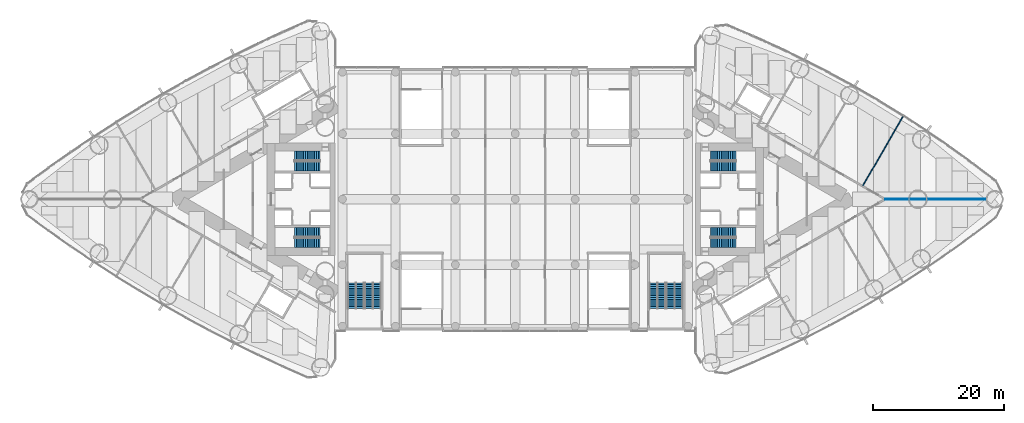
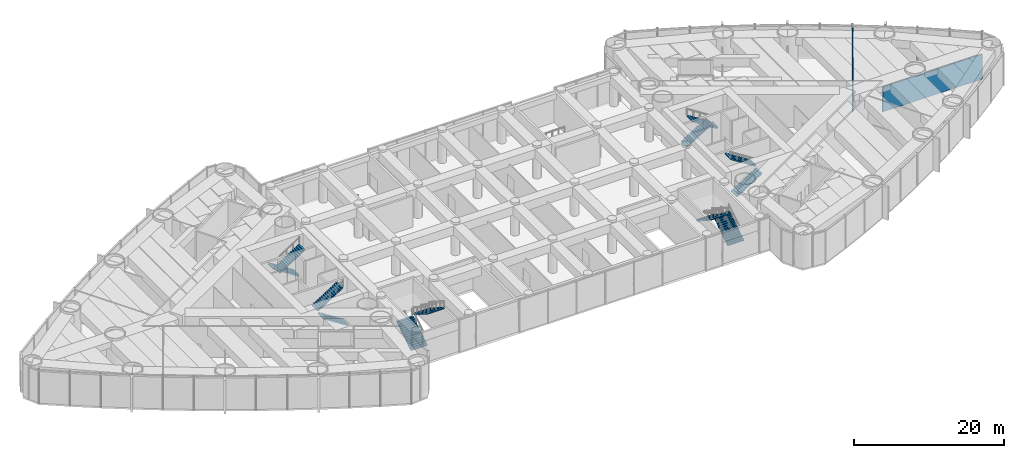
# One storey, part 19 of 20: 12 stair flights, 2 walls, 6 elements without a shape of their own.
"""IFC4 building model written with IfcOpenShell, lengths in metres."""

from ifc_helpers import new_model, si_unit, direction, frame, frame_2d, origin, place, context, subcontext, project, spatial, polyline, rectangle, outline, extrude, material, layer, layer_set, type_object, element, aggregate, save


model = new_model("IFC4")

# Units and contexts
model_context = context("Model", 3, precision=1e-05, world=origin(), true_north=direction((0.0, 1.0)))
body_context = subcontext(model_context, "Body", "Model", "MODEL_VIEW")
ifc_project = project(units=[si_unit("LENGTHUNIT", "METRE"), si_unit("AREAUNIT", "SQUARE_METRE"), si_unit("VOLUMEUNIT", "CUBIC_METRE"), si_unit("PLANEANGLEUNIT", "RADIAN"), si_unit("MASSUNIT", "GRAM", prefix="KILO")], contexts=[model_context])

# Site, building, storey
site_placement = place(None, origin())
site = spatial("IfcSite", under=ifc_project, at=site_placement, CompositionType="ELEMENT")
building_placement = place(site_placement, origin())
building = spatial("IfcBuilding", under=site, at=building_placement, Name="Lancet Gate Hotel", CompositionType="ELEMENT")
storey_placement = place(building_placement, frame((0.0, 0.0, 7.199951171875)))
storey = spatial("IfcBuildingStorey", under=building, at=storey_placement, Name="L01", CompositionType="ELEMENT", Elevation=7.199951171875)

# Walls
ifc_material_1 = material(Name="Gypsum board partition")
ifc_layer = layer(ifc_material_1, 0.14990234375)
ifc_layer_set = layer_set([ifc_layer], Name="Party wall 150")
wall_type = type_object("IfcWallType", Name="Party wall 150", PredefinedType="PARTITIONING", material=ifc_layer_set)
wall_1_placement = place(storey_placement, frame((53.11474609375, 2.0712890625, 0.0), z_axis=(0.0, 0.0, 1.0), x_axis=(0.500000975677, 0.866024840476, 0.0)))
element("IfcWall", 1, at=wall_1_placement, inside=storey, type_object=wall_type, Name="T2 party wall 150 L01", PredefinedType="PARTITIONING", context=body_context, shape_type="SweptSolid", body=[
    extrude(rectangle(XDim=12.19091796875, YDim=0.14990234375, at=frame_2d((6.095458984375, 0.0))), origin(), (0.0, 0.0, 1.0), 5.050048828125),
])
wall_2_placement = place(storey_placement, frame((56.502197265625, 0.0, 0.0), z_axis=(0.0, 0.0, 1.0), x_axis=(1.0, 0.0, 0.0)))
element("IfcWall", 2, at=wall_2_placement, inside=storey, type_object=wall_type, Name="T2 party wall 150 L01", PredefinedType="PARTITIONING", context=body_context, shape_type="SweptSolid", body=[
    extrude(rectangle(XDim=15.31689453125, YDim=0.14990234375, at=frame_2d((7.658447265625, 0.0))), origin(), (0.0, 0.0, 1.0), 4.050048828125),
])

# Stair, stair flights
ifc_material_2 = material(Name="Exit stair 30 risers 1500")
stair_type_1 = type_object("IfcStairType", Name="Exit stair 30 risers 1500", PredefinedType="HALF_TURN_STAIR", material=ifc_material_2)
stair_1_placement = place(storey_placement, origin())
stair_1 = element("IfcStair", 3, at=stair_1_placement, inside=storey, type_object=stair_type_1, Name="T1 stair 1 L01", PredefinedType="HALF_TURN_STAIR")
ifc_material_3 = material(Name="Stair flight 15 risers 180 rise 1500")
stair_flight_type_1 = type_object("IfcStairFlightType", Name="Stair flight 15 risers 180 rise 1500", PredefinedType="STRAIGHT", material=ifc_material_3)
stair_flight_1_placement = place(storey_placement, frame((-29.800048828125, 6.64990234375, 0.0), z_axis=(0.0, 0.0, 1.0), x_axis=(-1.0, 0.0, 0.0)))
stair_flight_1 = element("IfcStairFlight", 4, at=stair_flight_1_placement, type_object=stair_flight_type_1, Name="ST1 flight 1", NumberOfRisers=15, NumberOfTreads=14, PredefinedType="STRAIGHT", RiserHeight=0.18, TreadLength=0.28, context=body_context, shape_type="SweptSolid", body=[
    extrude(outline(polyline([(0.0, 0.0), (0.0, 0.179931640625), (0.280029296875, 0.179931640625), (0.280029296875, 0.360107421875), (0.56005859375, 0.360107421875), (0.56005859375, 0.5400390625), (0.840087890625, 0.5400390625), (0.840087890625, 0.719970703125), (1.1201171875, 0.719970703125), (1.1201171875, 0.89990234375), (1.39990234375, 0.89990234375), (1.39990234375, 1.080078125), (1.679931640625, 1.080078125), (1.679931640625, 1.260009765625), (1.9599609375, 1.260009765625), (1.9599609375, 1.43994140625), (2.239990234375, 1.43994140625), (2.239990234375, 1.6201171875), (2.52001953125, 1.6201171875), (2.52001953125, 1.800048828125), (2.800048828125, 1.800048828125), (2.800048828125, 1.97998046875), (3.080078125, 1.97998046875), (3.080078125, 2.159912109375), (3.360107421875, 2.159912109375), (3.360107421875, 2.340087890625), (3.639892578125, 2.340087890625), (3.639892578125, 2.52001953125), (3.919921875, 2.52001953125), (3.919921875, 2.699951171875), (3.919921875, 2.341796875), (0.277099609375, 0.0), (0.0, 0.0)])), frame((0.0, 0.75, 0.0), z_axis=(0.0, -1.0, 0.0), x_axis=(1.0, 0.0, 0.0)), (0.0, 0.0, 1.0), 1.5),
])
stair_flight_2_placement = place(storey_placement, frame((-33.719970703125, 5.050048828125, 2.699951171875), z_axis=(0.0, 0.0, 1.0), x_axis=(1.0, 0.0, 0.0)))
stair_flight_2 = element("IfcStairFlight", 5, at=stair_flight_2_placement, type_object=stair_flight_type_1, Name="ST1 flight 2", NumberOfRisers=15, NumberOfTreads=14, PredefinedType="STRAIGHT", RiserHeight=0.18, TreadLength=0.28, context=body_context, shape_type="SweptSolid", body=[
    extrude(outline(polyline([(0.0, 0.0), (0.0, 0.179931640625), (0.280029296875, 0.179931640625), (0.280029296875, 0.360107421875), (0.56005859375, 0.360107421875), (0.56005859375, 0.5400390625), (0.840087890625, 0.5400390625), (0.840087890625, 0.719970703125), (1.1201171875, 0.719970703125), (1.1201171875, 0.89990234375), (1.39990234375, 0.89990234375), (1.39990234375, 1.080078125), (1.679931640625, 1.080078125), (1.679931640625, 1.260009765625), (1.9599609375, 1.260009765625), (1.9599609375, 1.43994140625), (2.239990234375, 1.43994140625), (2.239990234375, 1.6201171875), (2.52001953125, 1.6201171875), (2.52001953125, 1.800048828125), (2.800048828125, 1.800048828125), (2.800048828125, 1.97998046875), (3.080078125, 1.97998046875), (3.080078125, 2.159912109375), (3.360107421875, 2.159912109375), (3.360107421875, 2.340087890625), (3.639892578125, 2.340087890625), (3.639892578125, 2.52001953125), (3.919921875, 2.52001953125), (3.919921875, 2.699951171875), (3.919921875, 2.341796875), (0.277099609375, 0.0), (0.0, 0.0)])), frame((0.0, 0.75, 0.0), z_axis=(0.0, -1.0, 0.0), x_axis=(1.0, 0.0, 0.0)), (0.0, 0.0, 1.0), 1.5),
])
aggregate(stair_1, [stair_flight_1, stair_flight_2])

stair_2_placement = place(storey_placement, origin())
stair_2 = element("IfcStair", 6, at=stair_2_placement, inside=storey, type_object=stair_type_1, Name="T1 stair 2 L01", PredefinedType="HALF_TURN_STAIR")
stair_flight_3_placement = place(storey_placement, frame((-29.800048828125, -6.64990234375, 0.0), z_axis=(0.0, 0.0, 1.0), x_axis=(-1.0, 0.0, 0.0)))
stair_flight_3 = element("IfcStairFlight", 7, at=stair_flight_3_placement, type_object=stair_flight_type_1, Name="ST2 flight 1", NumberOfRisers=15, NumberOfTreads=14, PredefinedType="STRAIGHT", RiserHeight=0.18, TreadLength=0.28, context=body_context, shape_type="SweptSolid", body=[
    extrude(outline(polyline([(0.0, 0.0), (0.0, 0.179931640625), (0.280029296875, 0.179931640625), (0.280029296875, 0.360107421875), (0.56005859375, 0.360107421875), (0.56005859375, 0.5400390625), (0.840087890625, 0.5400390625), (0.840087890625, 0.719970703125), (1.1201171875, 0.719970703125), (1.1201171875, 0.89990234375), (1.39990234375, 0.89990234375), (1.39990234375, 1.080078125), (1.679931640625, 1.080078125), (1.679931640625, 1.260009765625), (1.9599609375, 1.260009765625), (1.9599609375, 1.43994140625), (2.239990234375, 1.43994140625), (2.239990234375, 1.6201171875), (2.52001953125, 1.6201171875), (2.52001953125, 1.800048828125), (2.800048828125, 1.800048828125), (2.800048828125, 1.97998046875), (3.080078125, 1.97998046875), (3.080078125, 2.159912109375), (3.360107421875, 2.159912109375), (3.360107421875, 2.340087890625), (3.639892578125, 2.340087890625), (3.639892578125, 2.52001953125), (3.919921875, 2.52001953125), (3.919921875, 2.699951171875), (3.919921875, 2.341796875), (0.277099609375, 0.0), (0.0, 0.0)])), frame((0.0, 0.75, 0.0), z_axis=(0.0, -1.0, 0.0), x_axis=(1.0, 0.0, 0.0)), (0.0, 0.0, 1.0), 1.5),
])
stair_flight_4_placement = place(storey_placement, frame((-33.719970703125, -5.050048828125, 2.699951171875), z_axis=(0.0, 0.0, 1.0), x_axis=(1.0, 0.0, 0.0)))
stair_flight_4 = element("IfcStairFlight", 8, at=stair_flight_4_placement, type_object=stair_flight_type_1, Name="ST2 flight 2", NumberOfRisers=15, NumberOfTreads=14, PredefinedType="STRAIGHT", RiserHeight=0.18, TreadLength=0.28, context=body_context, shape_type="SweptSolid", body=[
    extrude(outline(polyline([(0.0, 0.0), (0.0, 0.179931640625), (0.280029296875, 0.179931640625), (0.280029296875, 0.360107421875), (0.56005859375, 0.360107421875), (0.56005859375, 0.5400390625), (0.840087890625, 0.5400390625), (0.840087890625, 0.719970703125), (1.1201171875, 0.719970703125), (1.1201171875, 0.89990234375), (1.39990234375, 0.89990234375), (1.39990234375, 1.080078125), (1.679931640625, 1.080078125), (1.679931640625, 1.260009765625), (1.9599609375, 1.260009765625), (1.9599609375, 1.43994140625), (2.239990234375, 1.43994140625), (2.239990234375, 1.6201171875), (2.52001953125, 1.6201171875), (2.52001953125, 1.800048828125), (2.800048828125, 1.800048828125), (2.800048828125, 1.97998046875), (3.080078125, 1.97998046875), (3.080078125, 2.159912109375), (3.360107421875, 2.159912109375), (3.360107421875, 2.340087890625), (3.639892578125, 2.340087890625), (3.639892578125, 2.52001953125), (3.919921875, 2.52001953125), (3.919921875, 2.699951171875), (3.919921875, 2.341796875), (0.277099609375, 0.0), (0.0, 0.0)])), frame((0.0, 0.75, 0.0), z_axis=(0.0, -1.0, 0.0), x_axis=(1.0, 0.0, 0.0)), (0.0, 0.0, 1.0), 1.5),
])
aggregate(stair_2, [stair_flight_3, stair_flight_4])

stair_3_placement = place(storey_placement, origin())
stair_3 = element("IfcStair", 9, at=stair_3_placement, inside=storey, type_object=stair_type_1, Name="T2 stair 1 L01", PredefinedType="HALF_TURN_STAIR")
stair_flight_5_placement = place(storey_placement, frame((29.800048828125, -6.64990234375, 0.0), z_axis=(0.0, 0.0, 1.0), x_axis=(1.0, 0.0, 0.0)))
stair_flight_5 = element("IfcStairFlight", 10, at=stair_flight_5_placement, type_object=stair_flight_type_1, Name="ST3 flight 1", NumberOfRisers=15, NumberOfTreads=14, PredefinedType="STRAIGHT", RiserHeight=0.18, TreadLength=0.28, context=body_context, shape_type="SweptSolid", body=[
    extrude(outline(polyline([(0.0, 0.0), (0.0, 0.179931640625), (0.280029296875, 0.179931640625), (0.280029296875, 0.360107421875), (0.56005859375, 0.360107421875), (0.56005859375, 0.5400390625), (0.840087890625, 0.5400390625), (0.840087890625, 0.719970703125), (1.1201171875, 0.719970703125), (1.1201171875, 0.89990234375), (1.39990234375, 0.89990234375), (1.39990234375, 1.080078125), (1.679931640625, 1.080078125), (1.679931640625, 1.260009765625), (1.9599609375, 1.260009765625), (1.9599609375, 1.43994140625), (2.239990234375, 1.43994140625), (2.239990234375, 1.6201171875), (2.52001953125, 1.6201171875), (2.52001953125, 1.800048828125), (2.800048828125, 1.800048828125), (2.800048828125, 1.97998046875), (3.080078125, 1.97998046875), (3.080078125, 2.159912109375), (3.360107421875, 2.159912109375), (3.360107421875, 2.340087890625), (3.639892578125, 2.340087890625), (3.639892578125, 2.52001953125), (3.919921875, 2.52001953125), (3.919921875, 2.699951171875), (3.919921875, 2.341796875), (0.277099609375, 0.0), (0.0, 0.0)])), frame((0.0, 0.75, 0.0), z_axis=(0.0, -1.0, 0.0), x_axis=(1.0, 0.0, 0.0)), (0.0, 0.0, 1.0), 1.5),
])
stair_flight_6_placement = place(storey_placement, frame((33.719970703125, -5.050048828125, 2.699951171875), z_axis=(0.0, 0.0, 1.0), x_axis=(-1.0, 0.0, 0.0)))
stair_flight_6 = element("IfcStairFlight", 11, at=stair_flight_6_placement, type_object=stair_flight_type_1, Name="ST3 flight 2", NumberOfRisers=15, NumberOfTreads=14, PredefinedType="STRAIGHT", RiserHeight=0.18, TreadLength=0.28, context=body_context, shape_type="SweptSolid", body=[
    extrude(outline(polyline([(0.0, 0.0), (0.0, 0.179931640625), (0.280029296875, 0.179931640625), (0.280029296875, 0.360107421875), (0.56005859375, 0.360107421875), (0.56005859375, 0.5400390625), (0.840087890625, 0.5400390625), (0.840087890625, 0.719970703125), (1.1201171875, 0.719970703125), (1.1201171875, 0.89990234375), (1.39990234375, 0.89990234375), (1.39990234375, 1.080078125), (1.679931640625, 1.080078125), (1.679931640625, 1.260009765625), (1.9599609375, 1.260009765625), (1.9599609375, 1.43994140625), (2.239990234375, 1.43994140625), (2.239990234375, 1.6201171875), (2.52001953125, 1.6201171875), (2.52001953125, 1.800048828125), (2.800048828125, 1.800048828125), (2.800048828125, 1.97998046875), (3.080078125, 1.97998046875), (3.080078125, 2.159912109375), (3.360107421875, 2.159912109375), (3.360107421875, 2.340087890625), (3.639892578125, 2.340087890625), (3.639892578125, 2.52001953125), (3.919921875, 2.52001953125), (3.919921875, 2.699951171875), (3.919921875, 2.341796875), (0.277099609375, 0.0), (0.0, 0.0)])), frame((0.0, 0.75, 0.0), z_axis=(0.0, -1.0, 0.0), x_axis=(1.0, 0.0, 0.0)), (0.0, 0.0, 1.0), 1.5),
])
aggregate(stair_3, [stair_flight_5, stair_flight_6])

stair_4_placement = place(storey_placement, origin())
stair_4 = element("IfcStair", 12, at=stair_4_placement, inside=storey, type_object=stair_type_1, Name="T2 stair 2 L01", PredefinedType="HALF_TURN_STAIR")
stair_flight_7_placement = place(storey_placement, frame((29.800048828125, 6.64990234375, 0.0), z_axis=(0.0, 0.0, 1.0), x_axis=(1.0, 0.0, 0.0)))
stair_flight_7 = element("IfcStairFlight", 13, at=stair_flight_7_placement, type_object=stair_flight_type_1, Name="ST4 flight 1", NumberOfRisers=15, NumberOfTreads=14, PredefinedType="STRAIGHT", RiserHeight=0.18, TreadLength=0.28, context=body_context, shape_type="SweptSolid", body=[
    extrude(outline(polyline([(0.0, 0.0), (0.0, 0.179931640625), (0.280029296875, 0.179931640625), (0.280029296875, 0.360107421875), (0.56005859375, 0.360107421875), (0.56005859375, 0.5400390625), (0.840087890625, 0.5400390625), (0.840087890625, 0.719970703125), (1.1201171875, 0.719970703125), (1.1201171875, 0.89990234375), (1.39990234375, 0.89990234375), (1.39990234375, 1.080078125), (1.679931640625, 1.080078125), (1.679931640625, 1.260009765625), (1.9599609375, 1.260009765625), (1.9599609375, 1.43994140625), (2.239990234375, 1.43994140625), (2.239990234375, 1.6201171875), (2.52001953125, 1.6201171875), (2.52001953125, 1.800048828125), (2.800048828125, 1.800048828125), (2.800048828125, 1.97998046875), (3.080078125, 1.97998046875), (3.080078125, 2.159912109375), (3.360107421875, 2.159912109375), (3.360107421875, 2.340087890625), (3.639892578125, 2.340087890625), (3.639892578125, 2.52001953125), (3.919921875, 2.52001953125), (3.919921875, 2.699951171875), (3.919921875, 2.341796875), (0.277099609375, 0.0), (0.0, 0.0)])), frame((0.0, 0.75, 0.0), z_axis=(0.0, -1.0, 0.0), x_axis=(1.0, 0.0, 0.0)), (0.0, 0.0, 1.0), 1.5),
])
stair_flight_8_placement = place(storey_placement, frame((33.719970703125, 5.050048828125, 2.699951171875), z_axis=(0.0, 0.0, 1.0), x_axis=(-1.0, 0.0, 0.0)))
stair_flight_8 = element("IfcStairFlight", 14, at=stair_flight_8_placement, type_object=stair_flight_type_1, Name="ST4 flight 2", NumberOfRisers=15, NumberOfTreads=14, PredefinedType="STRAIGHT", RiserHeight=0.18, TreadLength=0.28, context=body_context, shape_type="SweptSolid", body=[
    extrude(outline(polyline([(0.0, 0.0), (0.0, 0.179931640625), (0.280029296875, 0.179931640625), (0.280029296875, 0.360107421875), (0.56005859375, 0.360107421875), (0.56005859375, 0.5400390625), (0.840087890625, 0.5400390625), (0.840087890625, 0.719970703125), (1.1201171875, 0.719970703125), (1.1201171875, 0.89990234375), (1.39990234375, 0.89990234375), (1.39990234375, 1.080078125), (1.679931640625, 1.080078125), (1.679931640625, 1.260009765625), (1.9599609375, 1.260009765625), (1.9599609375, 1.43994140625), (2.239990234375, 1.43994140625), (2.239990234375, 1.6201171875), (2.52001953125, 1.6201171875), (2.52001953125, 1.800048828125), (2.800048828125, 1.800048828125), (2.800048828125, 1.97998046875), (3.080078125, 1.97998046875), (3.080078125, 2.159912109375), (3.360107421875, 2.159912109375), (3.360107421875, 2.340087890625), (3.639892578125, 2.340087890625), (3.639892578125, 2.52001953125), (3.919921875, 2.52001953125), (3.919921875, 2.699951171875), (3.919921875, 2.341796875), (0.277099609375, 0.0), (0.0, 0.0)])), frame((0.0, 0.75, 0.0), z_axis=(0.0, -1.0, 0.0), x_axis=(1.0, 0.0, 0.0)), (0.0, 0.0, 1.0), 1.5),
])
aggregate(stair_4, [stair_flight_7, stair_flight_8])

ifc_material_4 = material(Name="Podium stair 30 risers 2500")
stair_type_2 = type_object("IfcStairType", Name="Podium stair 30 risers 2500", PredefinedType="HALF_TURN_STAIR", material=ifc_material_4)
stair_5_placement = place(storey_placement, origin())
stair_5 = element("IfcStair", 15, at=stair_5_placement, inside=storey, type_object=stair_type_2, Name="Podium stair PS5 L01", PredefinedType="HALF_TURN_STAIR")
ifc_material_5 = material(Name="Stair flight 15 risers 180 rise 2500")
stair_flight_type_2 = type_object("IfcStairFlightType", Name="Stair flight 15 risers 180 rise 2500", PredefinedType="STRAIGHT", material=ifc_material_5)
stair_flight_9_placement = place(storey_placement, frame((24.35009765625, -16.699951171875, 0.0), z_axis=(0.0, 0.0, 1.0), x_axis=(0.0, 1.0, 0.0)))
stair_flight_9 = element("IfcStairFlight", 16, at=stair_flight_9_placement, type_object=stair_flight_type_2, Name="PS5 flight 1", NumberOfRisers=15, NumberOfTreads=14, PredefinedType="STRAIGHT", RiserHeight=0.18, TreadLength=0.28, context=body_context, shape_type="SweptSolid", body=[
    extrude(outline(polyline([(0.0, 0.0), (0.0, 0.179931640625), (0.280029296875, 0.179931640625), (0.280029296875, 0.360107421875), (0.56005859375, 0.360107421875), (0.56005859375, 0.5400390625), (0.840087890625, 0.5400390625), (0.840087890625, 0.719970703125), (1.1201171875, 0.719970703125), (1.1201171875, 0.89990234375), (1.39990234375, 0.89990234375), (1.39990234375, 1.080078125), (1.679931640625, 1.080078125), (1.679931640625, 1.260009765625), (1.9599609375, 1.260009765625), (1.9599609375, 1.43994140625), (2.239990234375, 1.43994140625), (2.239990234375, 1.6201171875), (2.52001953125, 1.6201171875), (2.52001953125, 1.800048828125), (2.800048828125, 1.800048828125), (2.800048828125, 1.97998046875), (3.080078125, 1.97998046875), (3.080078125, 2.159912109375), (3.360107421875, 2.159912109375), (3.360107421875, 2.340087890625), (3.639892578125, 2.340087890625), (3.639892578125, 2.52001953125), (3.919921875, 2.52001953125), (3.919921875, 2.699951171875), (3.919921875, 2.341796875), (0.277099609375, 0.0), (0.0, 0.0)])), frame((0.0, 1.25, 0.0), z_axis=(0.0, -1.0, 0.0), x_axis=(1.0, 0.0, 0.0)), (0.0, 0.0, 1.0), 2.5),
])
stair_flight_10_placement = place(storey_placement, frame((21.75, -12.780029296875, 2.699951171875), z_axis=(0.0, 0.0, 1.0), x_axis=(0.0, -1.0, 0.0)))
stair_flight_10 = element("IfcStairFlight", 17, at=stair_flight_10_placement, type_object=stair_flight_type_2, Name="PS5 flight 2", NumberOfRisers=15, NumberOfTreads=14, PredefinedType="STRAIGHT", RiserHeight=0.18, TreadLength=0.28, context=body_context, shape_type="SweptSolid", body=[
    extrude(outline(polyline([(0.0, 0.0), (0.0, 0.179931640625), (0.280029296875, 0.179931640625), (0.280029296875, 0.360107421875), (0.56005859375, 0.360107421875), (0.56005859375, 0.5400390625), (0.840087890625, 0.5400390625), (0.840087890625, 0.719970703125), (1.1201171875, 0.719970703125), (1.1201171875, 0.89990234375), (1.39990234375, 0.89990234375), (1.39990234375, 1.080078125), (1.679931640625, 1.080078125), (1.679931640625, 1.260009765625), (1.9599609375, 1.260009765625), (1.9599609375, 1.43994140625), (2.239990234375, 1.43994140625), (2.239990234375, 1.6201171875), (2.52001953125, 1.6201171875), (2.52001953125, 1.800048828125), (2.800048828125, 1.800048828125), (2.800048828125, 1.97998046875), (3.080078125, 1.97998046875), (3.080078125, 2.159912109375), (3.360107421875, 2.159912109375), (3.360107421875, 2.340087890625), (3.639892578125, 2.340087890625), (3.639892578125, 2.52001953125), (3.919921875, 2.52001953125), (3.919921875, 2.699951171875), (3.919921875, 2.341796875), (0.277099609375, 0.0), (0.0, 0.0)])), frame((0.0, 1.25, 0.0), z_axis=(0.0, -1.0, 0.0), x_axis=(1.0, 0.0, 0.0)), (0.0, 0.0, 1.0), 2.5),
])
aggregate(stair_5, [stair_flight_9, stair_flight_10])

stair_6_placement = place(storey_placement, origin())
stair_6 = element("IfcStair", 18, at=stair_6_placement, inside=storey, type_object=stair_type_2, Name="Podium stair PS6 L01", PredefinedType="HALF_TURN_STAIR")
stair_flight_11_placement = place(storey_placement, frame((-24.35009765625, -16.699951171875, 0.0), z_axis=(0.0, 0.0, 1.0), x_axis=(0.0, 1.0, 0.0)))
stair_flight_11 = element("IfcStairFlight", 19, at=stair_flight_11_placement, type_object=stair_flight_type_2, Name="PS6 flight 1", NumberOfRisers=15, NumberOfTreads=14, PredefinedType="STRAIGHT", RiserHeight=0.18, TreadLength=0.28, context=body_context, shape_type="SweptSolid", body=[
    extrude(outline(polyline([(0.0, 0.0), (0.0, 0.179931640625), (0.280029296875, 0.179931640625), (0.280029296875, 0.360107421875), (0.56005859375, 0.360107421875), (0.56005859375, 0.5400390625), (0.840087890625, 0.5400390625), (0.840087890625, 0.719970703125), (1.1201171875, 0.719970703125), (1.1201171875, 0.89990234375), (1.39990234375, 0.89990234375), (1.39990234375, 1.080078125), (1.679931640625, 1.080078125), (1.679931640625, 1.260009765625), (1.9599609375, 1.260009765625), (1.9599609375, 1.43994140625), (2.239990234375, 1.43994140625), (2.239990234375, 1.6201171875), (2.52001953125, 1.6201171875), (2.52001953125, 1.800048828125), (2.800048828125, 1.800048828125), (2.800048828125, 1.97998046875), (3.080078125, 1.97998046875), (3.080078125, 2.159912109375), (3.360107421875, 2.159912109375), (3.360107421875, 2.340087890625), (3.639892578125, 2.340087890625), (3.639892578125, 2.52001953125), (3.919921875, 2.52001953125), (3.919921875, 2.699951171875), (3.919921875, 2.341796875), (0.277099609375, 0.0), (0.0, 0.0)])), frame((0.0, 1.25, 0.0), z_axis=(0.0, -1.0, 0.0), x_axis=(1.0, 0.0, 0.0)), (0.0, 0.0, 1.0), 2.5),
])
stair_flight_12_placement = place(storey_placement, frame((-21.75, -12.780029296875, 2.699951171875), z_axis=(0.0, 0.0, 1.0), x_axis=(0.0, -1.0, 0.0)))
stair_flight_12 = element("IfcStairFlight", 20, at=stair_flight_12_placement, type_object=stair_flight_type_2, Name="PS6 flight 2", NumberOfRisers=15, NumberOfTreads=14, PredefinedType="STRAIGHT", RiserHeight=0.18, TreadLength=0.28, context=body_context, shape_type="SweptSolid", body=[
    extrude(outline(polyline([(0.0, 0.0), (0.0, 0.179931640625), (0.280029296875, 0.179931640625), (0.280029296875, 0.360107421875), (0.56005859375, 0.360107421875), (0.56005859375, 0.5400390625), (0.840087890625, 0.5400390625), (0.840087890625, 0.719970703125), (1.1201171875, 0.719970703125), (1.1201171875, 0.89990234375), (1.39990234375, 0.89990234375), (1.39990234375, 1.080078125), (1.679931640625, 1.080078125), (1.679931640625, 1.260009765625), (1.9599609375, 1.260009765625), (1.9599609375, 1.43994140625), (2.239990234375, 1.43994140625), (2.239990234375, 1.6201171875), (2.52001953125, 1.6201171875), (2.52001953125, 1.800048828125), (2.800048828125, 1.800048828125), (2.800048828125, 1.97998046875), (3.080078125, 1.97998046875), (3.080078125, 2.159912109375), (3.360107421875, 2.159912109375), (3.360107421875, 2.340087890625), (3.639892578125, 2.340087890625), (3.639892578125, 2.52001953125), (3.919921875, 2.52001953125), (3.919921875, 2.699951171875), (3.919921875, 2.341796875), (0.277099609375, 0.0), (0.0, 0.0)])), frame((0.0, 1.25, 0.0), z_axis=(0.0, -1.0, 0.0), x_axis=(1.0, 0.0, 0.0)), (0.0, 0.0, 1.0), 2.5),
])
aggregate(stair_6, [stair_flight_11, stair_flight_12])

save(model, "model.ifc")
